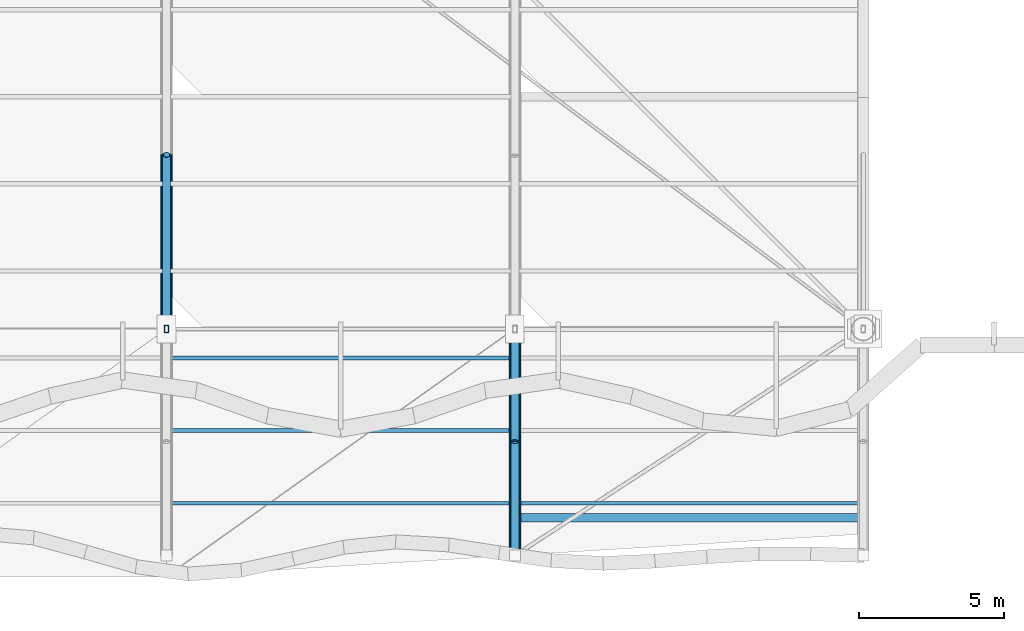
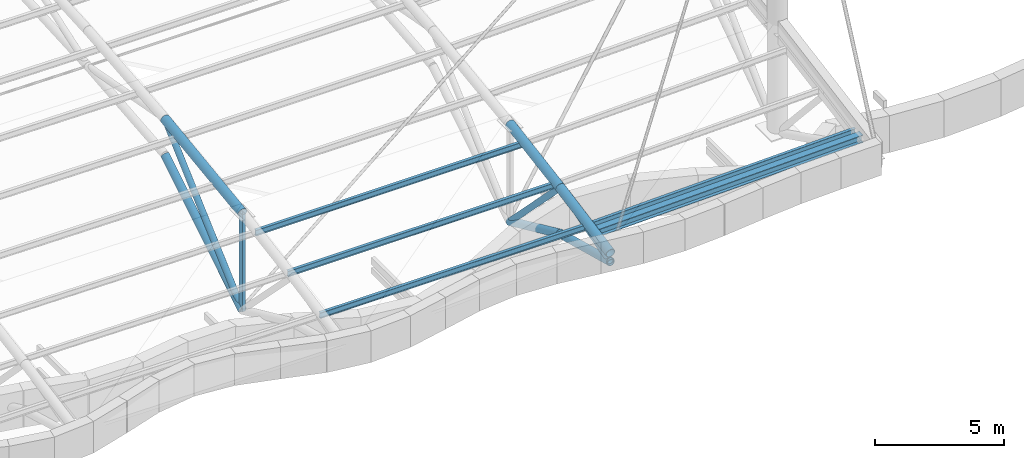
# One storey, part 10 of 29: 14 members, 1 beam.
"""IFC4 building model written with IfcOpenShell, lengths in metres."""

from ifc_helpers import new_model, si_unit, direction, frame, origin, origin_2d, place, context, subcontext, project, spatial, hollow_rectangle, hollow_circle, i_section, extrude, material, material_profile, profile_set, type_object, element, save


model = new_model("IFC4")

# Units and contexts
model_context = context("Model", 3, precision=1e-05, world=origin(), true_north=direction((0.0, 1.0)))
body_context = subcontext(model_context, "Body", "Model", "MODEL_VIEW")
ifc_project = project(units=[si_unit("LENGTHUNIT", "METRE"), si_unit("AREAUNIT", "SQUARE_METRE"), si_unit("VOLUMEUNIT", "CUBIC_METRE"), si_unit("PLANEANGLEUNIT", "RADIAN"), si_unit("MASSUNIT", "GRAM", prefix="KILO")], contexts=[model_context])

# Site, building, storey
site_placement = place(None, origin())
site = spatial("IfcSite", under=ifc_project, at=site_placement, CompositionType="ELEMENT")
building_placement = place(site_placement, origin())
building = spatial("IfcBuilding", under=site, at=building_placement, Name="Keelwater Ferry Terminal", CompositionType="ELEMENT")
storey_placement = place(building_placement, frame((0.0, 0.0, 27.89990234375)))
storey = spatial("IfcBuildingStorey", under=building, at=storey_placement, Name="RF", CompositionType="ELEMENT", Elevation=27.89990234375)

# Members
ifc_material_1 = material(Name="Steel S355", Category="steel")
ifc_material_profile_1 = material_profile(ifc_material_1, hollow_circle(Radius=0.136474609375, WallThickness=0.012451171875, at=origin_2d()), Name="CHS 273x12.5")
ifc_profile_set_1 = profile_set([ifc_material_profile_1], Name="Steel S355")
member_type_1 = type_object("IfcMemberType", Name="BR2 CHS 273x12.5", PredefinedType="BRACE", material=ifc_profile_set_1)
member_1_placement = place(storey_placement, frame((108.0, 42.0, -13.0498046875), z_axis=(0.0, 0.742563535774, 0.669775630595), x_axis=(-1.0, 0.0, 0.0)))
element("IfcMember", 1, at=member_1_placement, inside=storey, type_object=member_type_1, Name="Structural Member MB-RF-0170", PredefinedType="BRACE", context=body_context, shape_type="SweptSolid", body=[
    extrude(hollow_circle(Radius=0.136474609375, WallThickness=0.012451171875, at=origin_2d()), origin(), (0.0, 0.0, 1.0), 8.080078125),
])
ifc_material_2 = material(Name="Steel S355", Category="steel")
ifc_material_profile_2 = material_profile(ifc_material_2, hollow_circle(Radius=0.136474609375, WallThickness=0.012451171875, at=origin_2d()), Name="CHS 273x12.5")
ifc_profile_set_2 = profile_set([ifc_material_profile_2], Name="Steel S355")
member_type_2 = type_object("IfcMemberType", Name="BR2E CHS 273x12.5", PredefinedType="BRACE", material=ifc_profile_set_2)
member_2_placement = place(storey_placement, frame((120.0, 34.199951171875, -10.23095703125), z_axis=(0.0, 0.959374107693, 0.28213706153), x_axis=(-1.0, 0.0, 0.0)))
element("IfcMember", 2, at=member_2_placement, inside=storey, type_object=member_type_2, Name="Structural Member MB-RF-0195", PredefinedType="BRACE", context=body_context, shape_type="SweptSolid", body=[
    extrude(hollow_circle(Radius=0.136474609375, WallThickness=0.012451171875, at=origin_2d()), origin(), (0.0, 0.0, 1.0), 4.065185546875),
])
member_3_placement = place(storey_placement, frame((120.0, 38.10009765625, -9.083984375), z_axis=(0.0, 0.701156316422, -0.713007587577), x_axis=(-1.0, 0.0, 0.0)))
element("IfcMember", 3, at=member_3_placement, inside=storey, type_object=member_type_2, Name="Structural Member MB-RF-0198", PredefinedType="BRACE", context=body_context, shape_type="SweptSolid", body=[
    extrude(hollow_circle(Radius=0.136474609375, WallThickness=0.012451171875, at=origin_2d()), origin(), (0.0, 0.0, 1.0), 5.56201171875),
])
ifc_material_3 = material(Name="Steel S355", Category="steel")
ifc_material_profile_3 = material_profile(ifc_material_3, hollow_rectangle(XDim=0.14990234375, YDim=0.25, WallThickness=0.010009765625, at=origin_2d()), Name="RHS 250x150x10")
ifc_profile_set_3 = profile_set([ifc_material_profile_3], Name="Steel S355")
member_type_3 = type_object("IfcMemberType", Name="BR5 RHS 250x150x10", PredefinedType="BRACE", material=ifc_profile_set_3)
member_4_placement = place(storey_placement, frame((108.0, 42.0, -13.0498046875), z_axis=(0.0, 0.0, 1.0), x_axis=(1.0, 0.0, 0.0)))
element("IfcMember", 4, at=member_4_placement, inside=storey, type_object=member_type_3, Name="Structural Member MB-RF-0161", PredefinedType="BRACE", context=body_context, shape_type="SweptSolid", body=[
    extrude(hollow_rectangle(XDim=0.14990234375, YDim=0.25, WallThickness=0.010009765625, at=origin_2d()), origin(), (0.0, 0.0, 1.0), 4.601806640625),
])

# Beam
ifc_material_4 = material(Name="Steel S355", Category="steel")
ifc_material_profile_4 = material_profile(ifc_material_4, i_section(OverallWidth=0.300048828125, OverallDepth=0.360107421875, WebThickness=0.012451171875, FlangeThickness=0.0224609375, at=origin_2d()), Name="HEB 360")
ifc_profile_set_4 = profile_set([ifc_material_profile_4], Name="Steel S355")
beam_type = type_object("IfcBeamType", Name="G8E HEB 360", PredefinedType="BEAM", material=ifc_profile_set_4)
beam_placement = place(storey_placement, frame((120.0, 35.5, -9.640869140625), z_axis=(0.999615172935, 0.0, 0.02773997184), x_axis=(0.0, 1.0, 0.0)))
element("IfcBeam", 5, at=beam_placement, inside=storey, type_object=beam_type, Name="Beam BM-RF-1658", PredefinedType="BEAM", context=body_context, shape_type="SweptSolid", body=[
    extrude(i_section(OverallWidth=0.300048828125, OverallDepth=0.360107421875, WebThickness=0.012451171875, FlangeThickness=0.0224609375, at=origin_2d()), origin(), (0.0, 0.0, 1.0), 12.004638671875),
])

# Members
ifc_material_5 = material(Name="Steel S355", Category="steel")
ifc_material_profile_5 = material_profile(ifc_material_5, i_section(OverallWidth=0.135009765625, OverallDepth=0.27001953125, WebThickness=0.006591796875, FlangeThickness=0.01025390625, at=origin_2d()), Name="IPE 270")
ifc_profile_set_5 = profile_set([ifc_material_profile_5], Name="Steel S355")
member_type_4 = type_object("IfcMemberType", Name="PR2E IPE 270", PredefinedType="PURLIN", material=ifc_profile_set_5)
for number, where, z_axis, x_axis, name in (
    (6, (108.0, 36.0, -9.657958984375), (0.999999303785, 0.0, 0.001180012199), (0.0, 1.0, 0.0), "Structural Member MB-RF-0348"),
    (7, (108.0, 38.5, -9.197021484375), (0.999999204445, 0.0, 0.001261392226), (0.0, 1.0, 0.0), "Structural Member MB-RF-0349"),
    (8, (108.0, 41.0, -8.77490234375), (0.999999327586, 0.0, 0.001159667189), (0.0, 1.0, 0.0), "Structural Member MB-RF-0350"),
):
    element("IfcMember", number, at=place(storey_placement, frame(where, z_axis=z_axis, x_axis=x_axis)), inside=storey, type_object=member_type_4, Name=name, PredefinedType="PURLIN", context=body_context, shape_type="SweptSolid", body=[
        extrude(i_section(OverallWidth=0.135009765625, OverallDepth=0.27001953125, WebThickness=0.006591796875, FlangeThickness=0.01025390625, at=origin_2d()), origin(), (0.0, 0.0, 1.0), 12.0),
    ])
member_5_placement = place(storey_placement, frame((120.0, 36.0, -9.643798828125), z_axis=(0.999615172935, 0.0, 0.02773997184), x_axis=(0.0, 1.0, 0.0)))
element("IfcMember", 9, at=member_5_placement, inside=storey, type_object=member_type_4, Name="Structural Member MB-RF-0367", PredefinedType="PURLIN", context=body_context, shape_type="SweptSolid", body=[
    extrude(i_section(OverallWidth=0.135009765625, OverallDepth=0.27001953125, WebThickness=0.006591796875, FlangeThickness=0.01025390625, at=origin_2d()), origin(), (0.0, 0.0, 1.0), 12.004638671875),
])
ifc_material_6 = material(Name="Steel S355", Category="steel")
ifc_material_profile_6 = material_profile(ifc_material_6, hollow_circle(Radius=0.203125, WallThickness=0.01611328125, at=origin_2d()), Name="CHS 406.4x16")
ifc_profile_set_6 = profile_set([ifc_material_profile_6], Name="Steel S355")
member_type_5 = type_object("IfcMemberType", Name="TC1 CHS 406.4x16", PredefinedType="CHORD", material=ifc_profile_set_6)
member_6_placement = place(storey_placement, frame((108.0, 42.0, -8.447998046875), z_axis=(0.0, 0.991008911296, 0.133795880846), x_axis=(-1.0, 0.0, 0.0)))
element("IfcMember", 10, at=member_6_placement, inside=storey, type_object=member_type_5, Name="Structural Member MB-RF-0168", PredefinedType="CHORD", context=body_context, shape_type="SweptSolid", body=[
    extrude(hollow_circle(Radius=0.203125, WallThickness=0.01611328125, at=origin_2d()), origin(), (0.0, 0.0, 1.0), 6.054443359375),
])
ifc_material_7 = material(Name="Steel S355", Category="steel")
ifc_material_profile_7 = material_profile(ifc_material_7, hollow_circle(Radius=0.203125, WallThickness=0.01611328125, at=origin_2d()), Name="CHS 406.4x16")
ifc_profile_set_7 = profile_set([ifc_material_profile_7], Name="Steel S355")
member_type_6 = type_object("IfcMemberType", Name="TC1E CHS 406.4x16", PredefinedType="CHORD", material=ifc_profile_set_7)
member_7_placement = place(storey_placement, frame((120.0, 34.199951171875, -9.830810546875), z_axis=(0.0, 0.982155675144, 0.188069747121), x_axis=(-1.0, 0.0, 0.0)))
element("IfcMember", 11, at=member_7_placement, inside=storey, type_object=member_type_6, Name="Structural Member MB-RF-0193", PredefinedType="CHORD", context=body_context, shape_type="SweptSolid", body=[
    extrude(hollow_circle(Radius=0.203125, WallThickness=0.01611328125, at=origin_2d()), origin(), (0.0, 0.0, 1.0), 3.970947265625),
])
member_8_placement = place(storey_placement, frame((120.0, 38.10009765625, -9.083984375), z_axis=(0.0, 0.986387247392, 0.164439040929), x_axis=(-1.0, 0.0, 0.0)))
element("IfcMember", 12, at=member_8_placement, inside=storey, type_object=member_type_6, Name="Structural Member MB-RF-0196", PredefinedType="CHORD", context=body_context, shape_type="SweptSolid", body=[
    extrude(hollow_circle(Radius=0.203125, WallThickness=0.01611328125, at=origin_2d()), origin(), (0.0, 0.0, 1.0), 3.95361328125),
])
ifc_material_8 = material(Name="Steel S355", Category="steel")
ifc_material_profile_8 = material_profile(ifc_material_8, hollow_circle(Radius=0.177734375, WallThickness=0.01611328125, at=origin_2d()), Name="CHS 355.6x16")
ifc_profile_set_8 = profile_set([ifc_material_profile_8], Name="Steel S355")
member_type_7 = type_object("IfcMemberType", Name="TC2 CHS 355.6x16", PredefinedType="CHORD", material=ifc_profile_set_8)
member_9_placement = place(storey_placement, frame((108.0, 42.0, -13.0498046875), z_axis=(0.0, 0.850415552082, 0.526111574457), x_axis=(-1.0, 0.0, 0.0)))
element("IfcMember", 13, at=member_9_placement, inside=storey, type_object=member_type_7, Name="Structural Member MB-RF-0169", PredefinedType="CHORD", context=body_context, shape_type="SweptSolid", body=[
    extrude(hollow_circle(Radius=0.177734375, WallThickness=0.01611328125, at=origin_2d()), origin(), (0.0, 0.0, 1.0), 7.055419921875),
])
ifc_material_9 = material(Name="Steel S355", Category="steel")
ifc_material_profile_9 = material_profile(ifc_material_9, hollow_circle(Radius=0.177734375, WallThickness=0.01611328125, at=origin_2d()), Name="CHS 355.6x16")
ifc_profile_set_9 = profile_set([ifc_material_profile_9], Name="Steel S355")
member_type_8 = type_object("IfcMemberType", Name="TC2E CHS 355.6x16", PredefinedType="CHORD", material=ifc_profile_set_9)
member_10_placement = place(storey_placement, frame((120.0, 34.199951171875, -10.23095703125), z_axis=(0.0, 0.966490521371, -0.256702302484), x_axis=(-1.0, 0.0, 0.0)))
element("IfcMember", 14, at=member_10_placement, inside=storey, type_object=member_type_8, Name="Structural Member MB-RF-0194", PredefinedType="CHORD", context=body_context, shape_type="SweptSolid", body=[
    extrude(hollow_circle(Radius=0.177734375, WallThickness=0.01611328125, at=origin_2d()), origin(), (0.0, 0.0, 1.0), 4.035400390625),
])
member_11_placement = place(storey_placement, frame((120.0, 38.10009765625, -11.266845703125), z_axis=(0.0, 0.909461558348, -0.415788015564), x_axis=(-1.0, 0.0, 0.0)))
element("IfcMember", 15, at=member_11_placement, inside=storey, type_object=member_type_8, Name="Structural Member MB-RF-0197", PredefinedType="CHORD", context=body_context, shape_type="SweptSolid", body=[
    extrude(hollow_circle(Radius=0.177734375, WallThickness=0.01611328125, at=origin_2d()), origin(), (0.0, 0.0, 1.0), 4.2880859375),
])

save(model, "model.ifc")
